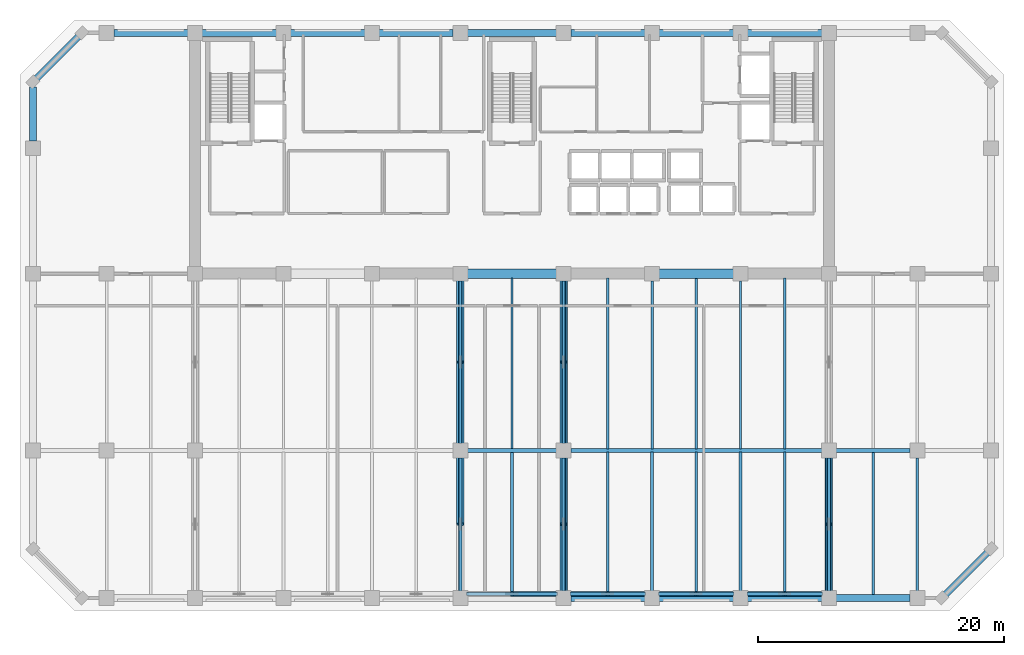
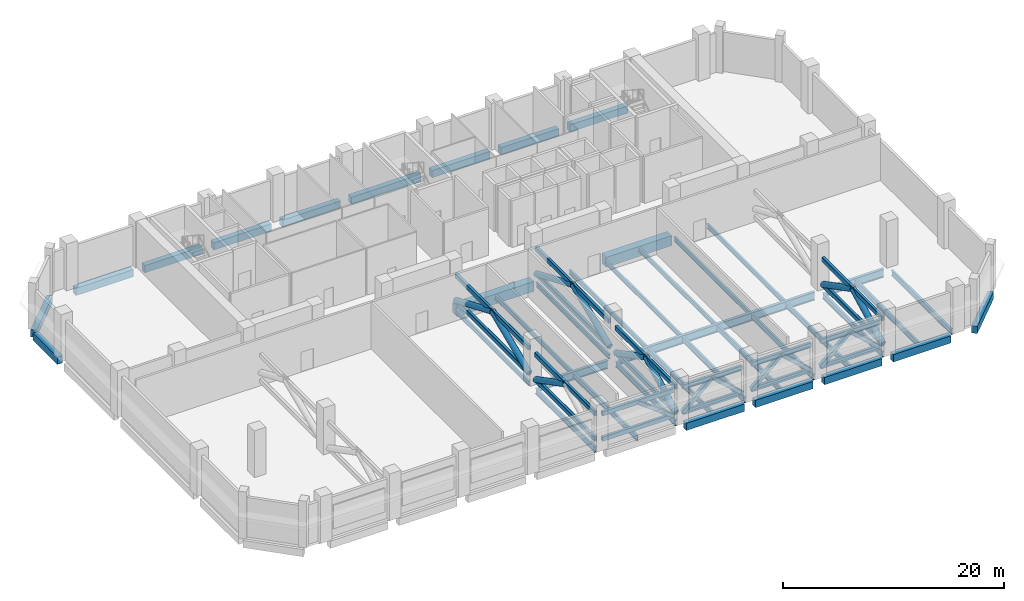
# One storey, part 2 of 13: 39 beams, 34 members.
"""IFC4 building model written with IfcOpenShell, lengths in metres."""

from ifc_helpers import new_model, si_unit, direction, frame, origin, origin_2d, place, context, subcontext, project, spatial, rectangle, hollow_rectangle, hollow_circle, i_section, extrude, material, material_profile, profile_set, type_object, element, save


model = new_model("IFC4")

# Units and contexts
model_context = context("Model", 3, precision=1e-05, world=origin(), true_north=direction((0.0, 1.0)))
body_context = subcontext(model_context, "Body", "Model", "MODEL_VIEW")
ifc_project = project(units=[si_unit("LENGTHUNIT", "METRE"), si_unit("AREAUNIT", "SQUARE_METRE"), si_unit("VOLUMEUNIT", "CUBIC_METRE"), si_unit("PLANEANGLEUNIT", "RADIAN"), si_unit("MASSUNIT", "GRAM", prefix="KILO")], contexts=[model_context])

# Site, building, storey
site_placement = place(None, origin())
site = spatial("IfcSite", under=ifc_project, at=site_placement, CompositionType="ELEMENT")
building_placement = place(site_placement, origin())
building = spatial("IfcBuilding", under=site, at=building_placement, Name="Kaelvorn Grand Hotel", CompositionType="ELEMENT")
storey_placement = place(building_placement, frame((0.0, 0.0, 184.75)))
storey = spatial("IfcBuildingStorey", under=building, at=storey_placement, Name="L45", CompositionType="ELEMENT", Elevation=184.75)

# Beams
ifc_material_1 = material(Name="Steel S460", Category="steel")
ifc_material_profile_1 = material_profile(ifc_material_1, i_section(OverallWidth=0.302001953125, OverallDepth=0.909912109375, WebThickness=0.02099609375, FlangeThickness=0.0400390625, FilletRadius=0.030029296875, at=origin_2d()), Name="HEM 900")
ifc_profile_set_1 = profile_set([ifc_material_profile_1], Name="Steel S460")
beam_type_1 = type_object("IfcBeamType", Name="BM-G-HEM900-S460", PredefinedType="BEAM", material=ifc_profile_set_1)
beam_1_placement = place(storey_placement, frame((38.385009765625, 15.0, -0.804931640625), z_axis=(1.0, 0.0, 0.0), x_axis=(0.0, 1.0, 0.0)))
element("IfcBeam", 1, at=beam_1_placement, inside=storey, type_object=beam_type_1, Name="L45 Primary Spine Steel Girder G-15 04", PredefinedType="BEAM", context=body_context, shape_type="SweptSolid", body=[
    extrude(i_section(OverallWidth=0.302001953125, OverallDepth=0.909912109375, WebThickness=0.02099609375, FlangeThickness=0.0400390625, FilletRadius=0.030029296875, at=origin_2d()), origin(), (0.0, 0.0, 1.0), 7.22998046875),
])
beam_2_placement = place(storey_placement, frame((46.784912109375, 15.0, -0.804931640625), z_axis=(1.0, 0.0, 0.0), x_axis=(0.0, 1.0, 0.0)))
element("IfcBeam", 2, at=beam_2_placement, inside=storey, type_object=beam_type_1, Name="L45 Primary Spine Steel Girder G-15 05", PredefinedType="BEAM", context=body_context, shape_type="SweptSolid", body=[
    extrude(i_section(OverallWidth=0.302001953125, OverallDepth=0.909912109375, WebThickness=0.02099609375, FlangeThickness=0.0400390625, FilletRadius=0.030029296875, at=origin_2d()), origin(), (0.0, 0.0, 1.0), 20.43017578125),
])
beam_3_placement = place(storey_placement, frame((68.385009765625, 15.0, -0.804931640625), z_axis=(1.0, 0.0, 0.0), x_axis=(0.0, 1.0, 0.0)))
element("IfcBeam", 3, at=beam_3_placement, inside=storey, type_object=beam_type_1, Name="L45 Primary Spine Steel Girder G-15 06", PredefinedType="BEAM", context=body_context, shape_type="SweptSolid", body=[
    extrude(i_section(OverallWidth=0.302001953125, OverallDepth=0.909912109375, WebThickness=0.02099609375, FlangeThickness=0.0400390625, FilletRadius=0.030029296875, at=origin_2d()), origin(), (0.0, 0.0, 1.0), 6.030029296875),
])
ifc_material_2 = material(Name="Steel S355", Category="steel")
ifc_material_profile_2 = material_profile(ifc_material_2, i_section(OverallWidth=0.199951171875, OverallDepth=0.5, WebThickness=0.01025390625, FlangeThickness=0.01611328125, FilletRadius=0.02099609375, at=origin_2d()), Name="IPE 500")
ifc_profile_set_2 = profile_set([ifc_material_profile_2], Name="Steel S355")
beam_type_2 = type_object("IfcBeamType", Name="BM-J-IPE500-S355", PredefinedType="JOIST", material=ifc_profile_set_2)
beam_4_placement = place(storey_placement, frame((37.800048828125, 15.5849609375, -0.60009765625), z_axis=(0.0, 1.0, 0.0), x_axis=(-1.0, 0.0, 0.0)))
element("IfcBeam", 4, at=beam_4_placement, inside=storey, type_object=beam_type_2, Name="L45 Composite Floor Joist JM-11", PredefinedType="JOIST", context=body_context, shape_type="SweptSolid", body=[
    extrude(i_section(OverallWidth=0.199951171875, OverallDepth=0.5, WebThickness=0.01025390625, FlangeThickness=0.01611328125, FilletRadius=0.02099609375, at=origin_2d()), origin(), (0.0, 0.0, 1.0), 13.22998046875),
])
beam_5_placement = place(storey_placement, frame((42.0, 15.135986328125, -0.60009765625), z_axis=(0.0, 1.0, 0.0), x_axis=(-1.0, 0.0, 0.0)))
element("IfcBeam", 5, at=beam_5_placement, inside=storey, type_object=beam_type_2, Name="L45 Composite Floor Joist JM-12", PredefinedType="JOIST", context=body_context, shape_type="SweptSolid", body=[
    extrude(i_section(OverallWidth=0.199951171875, OverallDepth=0.5, WebThickness=0.01025390625, FlangeThickness=0.01611328125, FilletRadius=0.02099609375, at=origin_2d()), origin(), (0.0, 0.0, 1.0), 13.924072265625),
])
beam_6_placement = place(storey_placement, frame((46.199951171875, 15.5849609375, -0.60009765625), z_axis=(0.0, 1.0, 0.0), x_axis=(-1.0, 0.0, 0.0)))
element("IfcBeam", 6, at=beam_6_placement, inside=storey, type_object=beam_type_2, Name="L45 Composite Floor Joist JM-13", PredefinedType="JOIST", context=body_context, shape_type="SweptSolid", body=[
    extrude(i_section(OverallWidth=0.199951171875, OverallDepth=0.5, WebThickness=0.01025390625, FlangeThickness=0.01611328125, FilletRadius=0.02099609375, at=origin_2d()), origin(), (0.0, 0.0, 1.0), 13.22998046875),
])
beam_7_placement = place(storey_placement, frame((49.800048828125, 15.135986328125, -0.60009765625), z_axis=(0.0, 1.0, 0.0), x_axis=(-1.0, 0.0, 0.0)))
element("IfcBeam", 7, at=beam_7_placement, inside=storey, type_object=beam_type_2, Name="L45 Composite Floor Joist JM-14", PredefinedType="JOIST", context=body_context, shape_type="SweptSolid", body=[
    extrude(i_section(OverallWidth=0.199951171875, OverallDepth=0.5, WebThickness=0.01025390625, FlangeThickness=0.01611328125, FilletRadius=0.02099609375, at=origin_2d()), origin(), (0.0, 0.0, 1.0), 13.924072265625),
])
beam_8_placement = place(storey_placement, frame((53.39990234375, 15.135986328125, -0.60009765625), z_axis=(0.0, 1.0, 0.0), x_axis=(-1.0, 0.0, 0.0)))
element("IfcBeam", 8, at=beam_8_placement, inside=storey, type_object=beam_type_2, Name="L45 Composite Floor Joist JM-15", PredefinedType="JOIST", context=body_context, shape_type="SweptSolid", body=[
    extrude(i_section(OverallWidth=0.199951171875, OverallDepth=0.5, WebThickness=0.01025390625, FlangeThickness=0.01611328125, FilletRadius=0.02099609375, at=origin_2d()), origin(), (0.0, 0.0, 1.0), 13.678955078125),
])
beam_9_placement = place(storey_placement, frame((57.0, 15.135986328125, -0.60009765625), z_axis=(0.0, 1.0, 0.0), x_axis=(-1.0, 0.0, 0.0)))
element("IfcBeam", 9, at=beam_9_placement, inside=storey, type_object=beam_type_2, Name="L45 Composite Floor Joist JM-16", PredefinedType="JOIST", context=body_context, shape_type="SweptSolid", body=[
    extrude(i_section(OverallWidth=0.199951171875, OverallDepth=0.5, WebThickness=0.01025390625, FlangeThickness=0.01611328125, FilletRadius=0.02099609375, at=origin_2d()), origin(), (0.0, 0.0, 1.0), 13.924072265625),
])
beam_10_placement = place(storey_placement, frame((60.60009765625, 15.135986328125, -0.60009765625), z_axis=(0.0, 1.0, 0.0), x_axis=(-1.0, 0.0, 0.0)))
element("IfcBeam", 10, at=beam_10_placement, inside=storey, type_object=beam_type_2, Name="L45 Composite Floor Joist JM-17", PredefinedType="JOIST", context=body_context, shape_type="SweptSolid", body=[
    extrude(i_section(OverallWidth=0.199951171875, OverallDepth=0.5, WebThickness=0.01025390625, FlangeThickness=0.01611328125, FilletRadius=0.02099609375, at=origin_2d()), origin(), (0.0, 0.0, 1.0), 13.678955078125),
])
beam_11_placement = place(storey_placement, frame((64.199951171875, 15.135986328125, -0.60009765625), z_axis=(0.0, 1.0, 0.0), x_axis=(-1.0, 0.0, 0.0)))
element("IfcBeam", 11, at=beam_11_placement, inside=storey, type_object=beam_type_2, Name="L45 Composite Floor Joist JM-18", PredefinedType="JOIST", context=body_context, shape_type="SweptSolid", body=[
    extrude(i_section(OverallWidth=0.199951171875, OverallDepth=0.5, WebThickness=0.01025390625, FlangeThickness=0.01611328125, FilletRadius=0.02099609375, at=origin_2d()), origin(), (0.0, 0.0, 1.0), 13.924072265625),
])
ifc_material_profile_3 = material_profile(ifc_material_2, i_section(OverallWidth=0.219970703125, OverallDepth=0.60009765625, WebThickness=0.011962890625, FlangeThickness=0.01904296875, FilletRadius=0.02392578125, at=origin_2d()), Name="IPE 600")
ifc_profile_set_3 = profile_set([ifc_material_profile_3], Name="Steel S355")
beam_type_3 = type_object("IfcBeamType", Name="BM-J-IPE600-S355", PredefinedType="JOIST", material=ifc_profile_set_3)
beam_12_placement = place(storey_placement, frame((37.800048828125, 3.5849609375, -0.64990234375), z_axis=(0.0, 1.0, 0.0), x_axis=(-1.0, 0.0, 0.0)))
element("IfcBeam", 12, at=beam_12_placement, inside=storey, type_object=beam_type_3, Name="L45 Composite Floor Joist JS-11", PredefinedType="JOIST", context=body_context, shape_type="SweptSolid", body=[
    extrude(i_section(OverallWidth=0.219970703125, OverallDepth=0.60009765625, WebThickness=0.011962890625, FlangeThickness=0.01904296875, FilletRadius=0.02392578125, at=origin_2d()), origin(), (0.0, 0.0, 1.0), 10.830078125),
])
beam_13_placement = place(storey_placement, frame((42.0, 3.260009765625, -0.64990234375), z_axis=(0.0, 1.0, 0.0), x_axis=(-1.0, 0.0, 0.0)))
element("IfcBeam", 13, at=beam_13_placement, inside=storey, type_object=beam_type_3, Name="L45 Composite Floor Joist JS-12", PredefinedType="JOIST", context=body_context, shape_type="SweptSolid", body=[
    extrude(i_section(OverallWidth=0.219970703125, OverallDepth=0.60009765625, WebThickness=0.011962890625, FlangeThickness=0.01904296875, FilletRadius=0.02392578125, at=origin_2d()), origin(), (0.0, 0.0, 1.0), 11.60400390625),
])
beam_14_placement = place(storey_placement, frame((46.199951171875, 3.5849609375, -0.64990234375), z_axis=(0.0, 1.0, 0.0), x_axis=(-1.0, 0.0, 0.0)))
element("IfcBeam", 14, at=beam_14_placement, inside=storey, type_object=beam_type_3, Name="L45 Composite Floor Joist JS-13", PredefinedType="JOIST", context=body_context, shape_type="SweptSolid", body=[
    extrude(i_section(OverallWidth=0.219970703125, OverallDepth=0.60009765625, WebThickness=0.011962890625, FlangeThickness=0.01904296875, FilletRadius=0.02392578125, at=origin_2d()), origin(), (0.0, 0.0, 1.0), 10.830078125),
])
beam_15_placement = place(storey_placement, frame((49.800048828125, 3.260009765625, -0.64990234375), z_axis=(0.0, 1.0, 0.0), x_axis=(-1.0, 0.0, 0.0)))
element("IfcBeam", 15, at=beam_15_placement, inside=storey, type_object=beam_type_3, Name="L45 Composite Floor Joist JS-14", PredefinedType="JOIST", context=body_context, shape_type="SweptSolid", body=[
    extrude(i_section(OverallWidth=0.219970703125, OverallDepth=0.60009765625, WebThickness=0.011962890625, FlangeThickness=0.01904296875, FilletRadius=0.02392578125, at=origin_2d()), origin(), (0.0, 0.0, 1.0), 11.60400390625),
])
beam_16_placement = place(storey_placement, frame((53.39990234375, 3.5849609375, -0.64990234375), z_axis=(0.0, 1.0, 0.0), x_axis=(-1.0, 0.0, 0.0)))
element("IfcBeam", 16, at=beam_16_placement, inside=storey, type_object=beam_type_3, Name="L45 Composite Floor Joist JS-15", PredefinedType="JOIST", context=body_context, shape_type="SweptSolid", body=[
    extrude(i_section(OverallWidth=0.219970703125, OverallDepth=0.60009765625, WebThickness=0.011962890625, FlangeThickness=0.01904296875, FilletRadius=0.02392578125, at=origin_2d()), origin(), (0.0, 0.0, 1.0), 11.279052734375),
])
beam_17_placement = place(storey_placement, frame((57.0, 3.260009765625, -0.64990234375), z_axis=(0.0, 1.0, 0.0), x_axis=(-1.0, 0.0, 0.0)))
element("IfcBeam", 17, at=beam_17_placement, inside=storey, type_object=beam_type_3, Name="L45 Composite Floor Joist JS-16", PredefinedType="JOIST", context=body_context, shape_type="SweptSolid", body=[
    extrude(i_section(OverallWidth=0.219970703125, OverallDepth=0.60009765625, WebThickness=0.011962890625, FlangeThickness=0.01904296875, FilletRadius=0.02392578125, at=origin_2d()), origin(), (0.0, 0.0, 1.0), 11.60400390625),
])
beam_18_placement = place(storey_placement, frame((60.60009765625, 3.5849609375, -0.64990234375), z_axis=(0.0, 1.0, 0.0), x_axis=(-1.0, 0.0, 0.0)))
element("IfcBeam", 18, at=beam_18_placement, inside=storey, type_object=beam_type_3, Name="L45 Composite Floor Joist JS-17", PredefinedType="JOIST", context=body_context, shape_type="SweptSolid", body=[
    extrude(i_section(OverallWidth=0.219970703125, OverallDepth=0.60009765625, WebThickness=0.011962890625, FlangeThickness=0.01904296875, FilletRadius=0.02392578125, at=origin_2d()), origin(), (0.0, 0.0, 1.0), 11.279052734375),
])
beam_19_placement = place(storey_placement, frame((64.199951171875, 3.260009765625, -0.64990234375), z_axis=(0.0, 1.0, 0.0), x_axis=(-1.0, 0.0, 0.0)))
element("IfcBeam", 19, at=beam_19_placement, inside=storey, type_object=beam_type_3, Name="L45 Composite Floor Joist JS-18", PredefinedType="JOIST", context=body_context, shape_type="SweptSolid", body=[
    extrude(i_section(OverallWidth=0.219970703125, OverallDepth=0.60009765625, WebThickness=0.011962890625, FlangeThickness=0.01904296875, FilletRadius=0.02392578125, at=origin_2d()), origin(), (0.0, 0.0, 1.0), 11.60400390625),
])
beam_20_placement = place(storey_placement, frame((67.800048828125, 3.5849609375, -0.64990234375), z_axis=(0.0, 1.0, 0.0), x_axis=(-1.0, 0.0, 0.0)))
element("IfcBeam", 20, at=beam_20_placement, inside=storey, type_object=beam_type_3, Name="L45 Composite Floor Joist JS-19", PredefinedType="JOIST", context=body_context, shape_type="SweptSolid", body=[
    extrude(i_section(OverallWidth=0.219970703125, OverallDepth=0.60009765625, WebThickness=0.011962890625, FlangeThickness=0.01904296875, FilletRadius=0.02392578125, at=origin_2d()), origin(), (0.0, 0.0, 1.0), 10.830078125),
])
beam_21_placement = place(storey_placement, frame((71.39990234375, 3.260009765625, -0.64990234375), z_axis=(0.0, 1.0, 0.0), x_axis=(-1.0, 0.0, 0.0)))
element("IfcBeam", 21, at=beam_21_placement, inside=storey, type_object=beam_type_3, Name="L45 Composite Floor Joist JS-20", PredefinedType="JOIST", context=body_context, shape_type="SweptSolid", body=[
    extrude(i_section(OverallWidth=0.219970703125, OverallDepth=0.60009765625, WebThickness=0.011962890625, FlangeThickness=0.01904296875, FilletRadius=0.02392578125, at=origin_2d()), origin(), (0.0, 0.0, 1.0), 11.60400390625),
])
beam_22_placement = place(storey_placement, frame((75.0, 3.5849609375, -0.64990234375), z_axis=(0.0, 1.0, 0.0), x_axis=(-1.0, 0.0, 0.0)))
element("IfcBeam", 22, at=beam_22_placement, inside=storey, type_object=beam_type_3, Name="L45 Composite Floor Joist JS-21", PredefinedType="JOIST", context=body_context, shape_type="SweptSolid", body=[
    extrude(i_section(OverallWidth=0.219970703125, OverallDepth=0.60009765625, WebThickness=0.011962890625, FlangeThickness=0.01904296875, FilletRadius=0.02392578125, at=origin_2d()), origin(), (0.0, 0.0, 1.0), 10.830078125),
])
ifc_material_3 = material(Name="Concrete C60/75", Category="concrete")
ifc_material_profile_4 = material_profile(ifc_material_3, rectangle(XDim=0.800048828125, YDim=1.10009765625, at=origin_2d()), Name="RC LINTEL 800x1100")
ifc_profile_set_4 = profile_set([ifc_material_profile_4], Name="Concrete C60/75")
beam_type_4 = type_object("IfcBeamType", Name="BM-LIN-800x1100-C60", PredefinedType="LINTEL", material=ifc_profile_set_4)
beam_23_placement = place(storey_placement, frame((37.97998046875, 29.39990234375, -0.89990234375), z_axis=(1.0, 0.0, 0.0), x_axis=(0.0, 1.0, 0.0)))
element("IfcBeam", 23, at=beam_23_placement, inside=storey, type_object=beam_type_4, Name="L45 Rear-Core Coupling Lintel Beam CB1-02", PredefinedType="LINTEL", context=body_context, shape_type="SweptSolid", body=[
    extrude(rectangle(XDim=0.800048828125, YDim=1.10009765625, at=origin_2d()), origin(), (0.0, 0.0, 1.0), 8.0400390625),
])
beam_24_placement = place(storey_placement, frame((53.580078125, 29.39990234375, -0.89990234375), z_axis=(1.0, 0.0, 0.0), x_axis=(0.0, 1.0, 0.0)))
element("IfcBeam", 24, at=beam_24_placement, inside=storey, type_object=beam_type_4, Name="L45 Rear-Core Coupling Lintel Beam CB1-03", PredefinedType="LINTEL", context=body_context, shape_type="SweptSolid", body=[
    extrude(rectangle(XDim=0.800048828125, YDim=1.10009765625, at=origin_2d()), origin(), (0.0, 0.0, 1.0), 6.83984375),
])
ifc_material_4 = material(Name="Concrete C50/60", Category="concrete")
ifc_material_profile_5 = material_profile(ifc_material_4, rectangle(XDim=0.550048828125, YDim=0.800048828125, at=origin_2d()), Name="RC SPANDREL 550x800")
ifc_profile_set_5 = profile_set([ifc_material_profile_5], Name="Concrete C50/60")
beam_type_5 = type_object("IfcBeamType", Name="BM-SP-550x800-C50", PredefinedType="SPANDREL", material=ifc_profile_set_5)
beam_25_placement = place(storey_placement, frame((46.784912109375, 3.0, -0.75), z_axis=(1.0, 0.0, 0.0), x_axis=(0.0, 1.0, 0.0)))
element("IfcBeam", 25, at=beam_25_placement, inside=storey, type_object=beam_type_5, Name="L45 South Perimeter Spandrel 07", PredefinedType="SPANDREL", context=body_context, shape_type="SweptSolid", body=[
    extrude(rectangle(XDim=0.550048828125, YDim=0.800048828125, at=origin_2d()), origin(), (0.0, 0.0, 1.0), 6.030029296875),
])
beam_26_placement = place(storey_placement, frame((53.985107421875, 3.0, -0.75), z_axis=(1.0, 0.0, 0.0), x_axis=(0.0, 1.0, 0.0)))
element("IfcBeam", 26, at=beam_26_placement, inside=storey, type_object=beam_type_5, Name="L45 South Perimeter Spandrel 08", PredefinedType="SPANDREL", context=body_context, shape_type="SweptSolid", body=[
    extrude(rectangle(XDim=0.550048828125, YDim=0.800048828125, at=origin_2d()), origin(), (0.0, 0.0, 1.0), 6.02978515625),
])
for number, where, z_axis, x_axis, name in (
    (27, (61.18505859375, 3.0, -0.75), (1.0, 0.0, 0.0), (0.0, 1.0, 0.0), "L45 South Perimeter Spandrel 09"),
    (28, (68.385009765625, 3.0, -0.75), (1.0, 0.0, 0.0), (0.0, 1.0, 0.0), "L45 South Perimeter Spandrel 10"),
    (29, (9.5849609375, 49.0, -0.75), (1.0, 0.0, 0.0), (0.0, 1.0, 0.0), "L45 North Perimeter Spandrel 02"),
    (30, (16.784912109375, 49.0, -0.75), (1.0, 0.0, 0.0), (0.0, 1.0, 0.0), "L45 North Perimeter Spandrel 03"),
):
    element("IfcBeam", number, at=place(storey_placement, frame(where, z_axis=z_axis, x_axis=x_axis)), inside=storey, type_object=beam_type_5, Name=name, PredefinedType="SPANDREL", context=body_context, shape_type="SweptSolid", body=[
        extrude(rectangle(XDim=0.550048828125, YDim=0.800048828125, at=origin_2d()), origin(), (0.0, 0.0, 1.0), 6.030029296875),
    ])
beam_27_placement = place(storey_placement, frame((23.985107421875, 49.0, -0.75), z_axis=(1.0, 0.0, 0.0), x_axis=(0.0, 1.0, 0.0)))
element("IfcBeam", 31, at=beam_27_placement, inside=storey, type_object=beam_type_5, Name="L45 North Perimeter Spandrel 04", PredefinedType="SPANDREL", context=body_context, shape_type="SweptSolid", body=[
    extrude(rectangle(XDim=0.550048828125, YDim=0.800048828125, at=origin_2d()), origin(), (0.0, 0.0, 1.0), 6.02978515625),
])
beam_28_placement = place(storey_placement, frame((31.18505859375, 49.0, -0.75), z_axis=(1.0, 0.0, 0.0), x_axis=(0.0, 1.0, 0.0)))
element("IfcBeam", 32, at=beam_28_placement, inside=storey, type_object=beam_type_5, Name="L45 North Perimeter Spandrel 05", PredefinedType="SPANDREL", context=body_context, shape_type="SweptSolid", body=[
    extrude(rectangle(XDim=0.550048828125, YDim=0.800048828125, at=origin_2d()), origin(), (0.0, 0.0, 1.0), 6.030029296875),
])
beam_29_placement = place(storey_placement, frame((38.385009765625, 49.0, -0.75), z_axis=(1.0, 0.0, 0.0), x_axis=(0.0, 1.0, 0.0)))
element("IfcBeam", 33, at=beam_29_placement, inside=storey, type_object=beam_type_5, Name="L45 North Perimeter Spandrel 06", PredefinedType="SPANDREL", context=body_context, shape_type="SweptSolid", body=[
    extrude(rectangle(XDim=0.550048828125, YDim=0.800048828125, at=origin_2d()), origin(), (0.0, 0.0, 1.0), 7.22998046875),
])
beam_30_placement = place(storey_placement, frame((46.784912109375, 49.0, -0.75), z_axis=(1.0, 0.0, 0.0), x_axis=(0.0, 1.0, 0.0)))
element("IfcBeam", 34, at=beam_30_placement, inside=storey, type_object=beam_type_5, Name="L45 North Perimeter Spandrel 07", PredefinedType="SPANDREL", context=body_context, shape_type="SweptSolid", body=[
    extrude(rectangle(XDim=0.550048828125, YDim=0.800048828125, at=origin_2d()), origin(), (0.0, 0.0, 1.0), 6.030029296875),
])
beam_31_placement = place(storey_placement, frame((53.985107421875, 49.0, -0.75), z_axis=(1.0, 0.0, 0.0), x_axis=(0.0, 1.0, 0.0)))
element("IfcBeam", 35, at=beam_31_placement, inside=storey, type_object=beam_type_5, Name="L45 North Perimeter Spandrel 08", PredefinedType="SPANDREL", context=body_context, shape_type="SweptSolid", body=[
    extrude(rectangle(XDim=0.550048828125, YDim=0.800048828125, at=origin_2d()), origin(), (0.0, 0.0, 1.0), 6.02978515625),
])
beam_32_placement = place(storey_placement, frame((61.18505859375, 49.0, -0.75), z_axis=(1.0, 0.0, 0.0), x_axis=(0.0, 1.0, 0.0)))
element("IfcBeam", 36, at=beam_32_placement, inside=storey, type_object=beam_type_5, Name="L45 North Perimeter Spandrel 09", PredefinedType="SPANDREL", context=body_context, shape_type="SweptSolid", body=[
    extrude(rectangle(XDim=0.550048828125, YDim=0.800048828125, at=origin_2d()), origin(), (0.0, 0.0, 1.0), 6.030029296875),
])
beam_33_placement = place(storey_placement, frame((3.0, 40.18505859375, -0.75), z_axis=(0.0, 1.0, 0.0), x_axis=(-1.0, 0.0, 0.0)))
element("IfcBeam", 37, at=beam_33_placement, inside=storey, type_object=beam_type_5, Name="L45 West Perimeter Spandrel 04", PredefinedType="SPANDREL", context=body_context, shape_type="SweptSolid", body=[
    extrude(rectangle(XDim=0.550048828125, YDim=0.800048828125, at=origin_2d()), origin(), (0.0, 0.0, 1.0), 4.409912109375),
])
for number, where, z_axis, x_axis, name in (
    (38, (77.0, 3.0, -0.75), (0.707106781187, 0.707106781187, 0.0), (-0.707106781187, 0.707106781187, 0.0), "L45 Chamfer Spandrel Beam 1"),
    (39, (7.0, 49.0, -0.75), (-0.707106781187, -0.707106781187, 0.0), (0.707106781187, -0.707106781187, 0.0), "L45 Chamfer Spandrel Beam 3"),
):
    element("IfcBeam", number, at=place(storey_placement, frame(where, z_axis=z_axis, x_axis=x_axis)), inside=storey, type_object=beam_type_5, Name=name, PredefinedType="SPANDREL", context=body_context, shape_type="SweptSolid", body=[
        extrude(rectangle(XDim=0.550048828125, YDim=0.800048828125, at=origin_2d()), origin(), (0.0, 0.0, 1.0), 5.65673828125),
    ])

# Members
ifc_material_profile_6 = material_profile(ifc_material_1, hollow_rectangle(XDim=0.39990234375, YDim=0.39990234375, WallThickness=0.02001953125, InnerFilletRadius=0.02001953125, OuterFilletRadius=0.0400390625, at=origin_2d()), Name="SHS 400x400x20.0")
ifc_profile_set_6 = profile_set([ifc_material_profile_6], Name="Steel S460")
member_type_1 = type_object("IfcMemberType", Name="MB-BT-BRACE-SHS400", PredefinedType="BRACE", material=ifc_profile_set_6)
member_1_placement = place(storey_placement, frame((42.0, 3.340087890625, 3.35009765625), z_axis=(0.79622419649, 0.0, -0.605001676795), x_axis=(0.0, 1.0, 0.0)))
element("IfcMember", 40, at=member_1_placement, inside=storey, type_object=member_type_1, Name="L45 Belt Truss Brace R4", PredefinedType="BRACE", context=body_context, shape_type="SweptSolid", body=[
    extrude(hollow_rectangle(XDim=0.39990234375, YDim=0.39990234375, WallThickness=0.02001953125, InnerFilletRadius=0.02001953125, OuterFilletRadius=0.0400390625, at=origin_2d()), origin(), (0.0, 0.0, 1.0), 4.628173828125),
])
for number, where, z_axis, x_axis, name in (
    (41, (46.715087890625, 3.340087890625, 0.550048828125), (0.740472811778, 0.0, 0.672086315154), (0.0, 1.0, 0.0), "L45 Belt Truss Brace L5"),
    (42, (49.800048828125, 3.340087890625, 3.35009765625), (0.740472811778, 0.0, -0.672086315154), (0.0, 1.0, 0.0), "L45 Belt Truss Brace R5"),
    (43, (53.9150390625, 3.340087890625, 0.550048828125), (0.740472811778, 0.0, 0.672086315154), (0.0, 1.0, 0.0), "L45 Belt Truss Brace L6"),
    (44, (57.0, 3.340087890625, 3.35009765625), (0.740472811778, 0.0, -0.672086315154), (0.0, 1.0, 0.0), "L45 Belt Truss Brace R6"),
    (45, (61.114990234375, 3.340087890625, 0.550048828125), (0.740472811778, 0.0, 0.672086315154), (0.0, 1.0, 0.0), "L45 Belt Truss Brace L7"),
    (46, (64.199951171875, 3.340087890625, 3.35009765625), (0.740472811778, 0.0, -0.672086315154), (0.0, 1.0, 0.0), "L45 Belt Truss Brace R7"),
):
    element("IfcMember", number, at=place(storey_placement, frame(where, z_axis=z_axis, x_axis=x_axis)), inside=storey, type_object=member_type_1, Name=name, PredefinedType="BRACE", context=body_context, shape_type="SweptSolid", body=[
        extrude(hollow_rectangle(XDim=0.39990234375, YDim=0.39990234375, WallThickness=0.02001953125, InnerFilletRadius=0.02001953125, OuterFilletRadius=0.0400390625, at=origin_2d()), origin(), (0.0, 0.0, 1.0), 4.166259765625),
    ])
ifc_material_profile_7 = material_profile(ifc_material_1, hollow_circle(Radius=0.304931640625, WallThickness=0.030029296875, at=origin_2d()), Name="CHS 610.0x30.0")
ifc_profile_set_7 = profile_set([ifc_material_profile_7], Name="Steel S460")
member_type_2 = type_object("IfcMemberType", Name="MB-OR-BRACE-CHS610", PredefinedType="BRACE", material=ifc_profile_set_7)
member_2_placement = place(storey_placement, frame((37.800048828125, 9.0, 3.35009765625), z_axis=(0.0, 0.888273426352, -0.459315055313), x_axis=(-1.0, 0.0, 0.0)))
element("IfcMember", 47, at=member_2_placement, inside=storey, type_object=member_type_2, Name="L45 Outrigger Brace Diagonal B2.1", PredefinedType="BRACE", context=body_context, shape_type="SweptSolid", body=[
    extrude(hollow_circle(Radius=0.304931640625, WallThickness=0.030029296875, at=origin_2d()), origin(), (0.0, 0.0, 1.0), 6.09619140625),
])
for number, where, z_axis, x_axis, name in (
    (48, (37.800048828125, 15.5849609375, 0.550048828125), (0.0, 0.9208973418, 0.389805189633), (-1.0, 0.0, 0.0), "L45 Outrigger Brace Diagonal A2.2"),
    (49, (37.800048828125, 22.199951171875, 3.35009765625), (0.0, 0.9208973418, -0.389805189633), (-1.0, 0.0, 0.0), "L45 Outrigger Brace Diagonal B2.2"),
):
    element("IfcMember", number, at=place(storey_placement, frame(where, z_axis=z_axis, x_axis=x_axis)), inside=storey, type_object=member_type_2, Name=name, PredefinedType="BRACE", context=body_context, shape_type="SweptSolid", body=[
        extrude(hollow_circle(Radius=0.304931640625, WallThickness=0.030029296875, at=origin_2d()), origin(), (0.0, 0.0, 1.0), 7.18310546875),
    ])
for number, where, z_axis, x_axis, name in (
    (50, (46.199951171875, 3.5849609375, 0.550048828125), (0.0, 0.888273426352, 0.459315055313), (-1.0, 0.0, 0.0), "L45 Outrigger Brace Diagonal A3.1"),
    (51, (46.199951171875, 9.0, 3.35009765625), (0.0, 0.888273426352, -0.459315055313), (-1.0, 0.0, 0.0), "L45 Outrigger Brace Diagonal B3.1"),
):
    element("IfcMember", number, at=place(storey_placement, frame(where, z_axis=z_axis, x_axis=x_axis)), inside=storey, type_object=member_type_2, Name=name, PredefinedType="BRACE", context=body_context, shape_type="SweptSolid", body=[
        extrude(hollow_circle(Radius=0.304931640625, WallThickness=0.030029296875, at=origin_2d()), origin(), (0.0, 0.0, 1.0), 6.09619140625),
    ])
for number, where, z_axis, x_axis, name in (
    (52, (46.199951171875, 15.5849609375, 0.550048828125), (0.0, 0.9208973418, 0.389805189633), (-1.0, 0.0, 0.0), "L45 Outrigger Brace Diagonal A3.2"),
    (53, (46.199951171875, 22.199951171875, 3.35009765625), (0.0, 0.9208973418, -0.389805189633), (-1.0, 0.0, 0.0), "L45 Outrigger Brace Diagonal B3.2"),
):
    element("IfcMember", number, at=place(storey_placement, frame(where, z_axis=z_axis, x_axis=x_axis)), inside=storey, type_object=member_type_2, Name=name, PredefinedType="BRACE", context=body_context, shape_type="SweptSolid", body=[
        extrude(hollow_circle(Radius=0.304931640625, WallThickness=0.030029296875, at=origin_2d()), origin(), (0.0, 0.0, 1.0), 7.18310546875),
    ])
for number, where, z_axis, x_axis, name in (
    (54, (67.800048828125, 3.5849609375, 0.550048828125), (0.0, 0.888273426352, 0.459315055313), (-1.0, 0.0, 0.0), "L45 Outrigger Brace Diagonal A4.1"),
    (55, (67.800048828125, 9.0, 3.35009765625), (0.0, 0.888273426352, -0.459315055313), (-1.0, 0.0, 0.0), "L45 Outrigger Brace Diagonal B4.1"),
):
    element("IfcMember", number, at=place(storey_placement, frame(where, z_axis=z_axis, x_axis=x_axis)), inside=storey, type_object=member_type_2, Name=name, PredefinedType="BRACE", context=body_context, shape_type="SweptSolid", body=[
        extrude(hollow_circle(Radius=0.304931640625, WallThickness=0.030029296875, at=origin_2d()), origin(), (0.0, 0.0, 1.0), 6.09619140625),
    ])
ifc_material_profile_8 = material_profile(ifc_material_1, hollow_rectangle(XDim=0.300048828125, YDim=0.5, WallThickness=0.02001953125, InnerFilletRadius=0.02001953125, OuterFilletRadius=0.0400390625, at=origin_2d()), Name="RHS 500x300x20.0")
ifc_profile_set_8 = profile_set([ifc_material_profile_8], Name="Steel S460")
member_type_3 = type_object("IfcMemberType", Name="MB-OR-CHORD-RHS500", PredefinedType="CHORD", material=ifc_profile_set_8)
for number, where, z_axis, x_axis, name in (
    (56, (37.800048828125, 3.5849609375, 0.550048828125), (0.0, 1.0, 0.0), (-1.0, 0.0, 0.0), "L45 Outrigger Bottom Chord OC-2.1"),
    (57, (37.800048828125, 3.5849609375, 3.35009765625), (0.0, 1.0, 0.0), (-1.0, 0.0, 0.0), "L45 Outrigger Top Chord OC-2.1"),
):
    element("IfcMember", number, at=place(storey_placement, frame(where, z_axis=z_axis, x_axis=x_axis)), inside=storey, type_object=member_type_3, Name=name, PredefinedType="CHORD", context=body_context, shape_type="SweptSolid", body=[
        extrude(hollow_rectangle(XDim=0.300048828125, YDim=0.5, WallThickness=0.02001953125, InnerFilletRadius=0.02001953125, OuterFilletRadius=0.0400390625, at=origin_2d()), origin(), (0.0, 0.0, 1.0), 10.830078125),
    ])
for number, where, z_axis, x_axis, name in (
    (58, (37.800048828125, 15.5849609375, 0.550048828125), (0.0, 1.0, 0.0), (-1.0, 0.0, 0.0), "L45 Outrigger Bottom Chord OC-2.2"),
    (59, (37.800048828125, 15.5849609375, 3.35009765625), (0.0, 1.0, 0.0), (-1.0, 0.0, 0.0), "L45 Outrigger Top Chord OC-2.2"),
):
    element("IfcMember", number, at=place(storey_placement, frame(where, z_axis=z_axis, x_axis=x_axis)), inside=storey, type_object=member_type_3, Name=name, PredefinedType="CHORD", context=body_context, shape_type="SweptSolid", body=[
        extrude(hollow_rectangle(XDim=0.300048828125, YDim=0.5, WallThickness=0.02001953125, InnerFilletRadius=0.02001953125, OuterFilletRadius=0.0400390625, at=origin_2d()), origin(), (0.0, 0.0, 1.0), 13.22998046875),
    ])
for number, where, z_axis, x_axis, name in (
    (60, (46.199951171875, 3.5849609375, 0.550048828125), (0.0, 1.0, 0.0), (-1.0, 0.0, 0.0), "L45 Outrigger Bottom Chord OC-3.1"),
    (61, (46.199951171875, 3.5849609375, 3.35009765625), (0.0, 1.0, 0.0), (-1.0, 0.0, 0.0), "L45 Outrigger Top Chord OC-3.1"),
):
    element("IfcMember", number, at=place(storey_placement, frame(where, z_axis=z_axis, x_axis=x_axis)), inside=storey, type_object=member_type_3, Name=name, PredefinedType="CHORD", context=body_context, shape_type="SweptSolid", body=[
        extrude(hollow_rectangle(XDim=0.300048828125, YDim=0.5, WallThickness=0.02001953125, InnerFilletRadius=0.02001953125, OuterFilletRadius=0.0400390625, at=origin_2d()), origin(), (0.0, 0.0, 1.0), 10.830078125),
    ])
for number, where, z_axis, x_axis, name in (
    (62, (46.199951171875, 15.5849609375, 0.550048828125), (0.0, 1.0, 0.0), (-1.0, 0.0, 0.0), "L45 Outrigger Bottom Chord OC-3.2"),
    (63, (46.199951171875, 15.5849609375, 3.35009765625), (0.0, 1.0, 0.0), (-1.0, 0.0, 0.0), "L45 Outrigger Top Chord OC-3.2"),
):
    element("IfcMember", number, at=place(storey_placement, frame(where, z_axis=z_axis, x_axis=x_axis)), inside=storey, type_object=member_type_3, Name=name, PredefinedType="CHORD", context=body_context, shape_type="SweptSolid", body=[
        extrude(hollow_rectangle(XDim=0.300048828125, YDim=0.5, WallThickness=0.02001953125, InnerFilletRadius=0.02001953125, OuterFilletRadius=0.0400390625, at=origin_2d()), origin(), (0.0, 0.0, 1.0), 13.22998046875),
    ])
for number, where, z_axis, x_axis, name in (
    (64, (67.800048828125, 3.5849609375, 0.550048828125), (0.0, 1.0, 0.0), (-1.0, 0.0, 0.0), "L45 Outrigger Bottom Chord OC-4.1"),
    (65, (67.800048828125, 3.5849609375, 3.35009765625), (0.0, 1.0, 0.0), (-1.0, 0.0, 0.0), "L45 Outrigger Top Chord OC-4.1"),
):
    element("IfcMember", number, at=place(storey_placement, frame(where, z_axis=z_axis, x_axis=x_axis)), inside=storey, type_object=member_type_3, Name=name, PredefinedType="CHORD", context=body_context, shape_type="SweptSolid", body=[
        extrude(hollow_rectangle(XDim=0.300048828125, YDim=0.5, WallThickness=0.02001953125, InnerFilletRadius=0.02001953125, OuterFilletRadius=0.0400390625, at=origin_2d()), origin(), (0.0, 0.0, 1.0), 10.830078125),
    ])
for number, where, z_axis, x_axis, name in (
    (66, (38.31494140625, 3.340087890625, 0.550048828125), (1.0, 0.0, 0.0), (0.0, 1.0, 0.0), "L45 Belt Truss Bottom Chord 4"),
    (67, (38.31494140625, 3.340087890625, 3.35009765625), (1.0, 0.0, 0.0), (0.0, 1.0, 0.0), "L45 Belt Truss Top Chord 4"),
):
    element("IfcMember", number, at=place(storey_placement, frame(where, z_axis=z_axis, x_axis=x_axis)), inside=storey, type_object=member_type_3, Name=name, PredefinedType="CHORD", context=body_context, shape_type="SweptSolid", body=[
        extrude(hollow_rectangle(XDim=0.300048828125, YDim=0.5, WallThickness=0.02001953125, InnerFilletRadius=0.02001953125, OuterFilletRadius=0.0400390625, at=origin_2d()), origin(), (0.0, 0.0, 1.0), 7.3701171875),
    ])
for number, where, z_axis, x_axis, name in (
    (68, (46.715087890625, 3.340087890625, 0.550048828125), (1.0, 0.0, 0.0), (0.0, 1.0, 0.0), "L45 Belt Truss Bottom Chord 5"),
    (69, (46.715087890625, 3.340087890625, 3.35009765625), (1.0, 0.0, 0.0), (0.0, 1.0, 0.0), "L45 Belt Truss Top Chord 5"),
    (70, (53.9150390625, 3.340087890625, 0.550048828125), (1.0, 0.0, 0.0), (0.0, 1.0, 0.0), "L45 Belt Truss Bottom Chord 6"),
    (71, (53.9150390625, 3.340087890625, 3.35009765625), (1.0, 0.0, 0.0), (0.0, 1.0, 0.0), "L45 Belt Truss Top Chord 6"),
    (72, (61.114990234375, 3.340087890625, 0.550048828125), (1.0, 0.0, 0.0), (0.0, 1.0, 0.0), "L45 Belt Truss Bottom Chord 7"),
    (73, (61.114990234375, 3.340087890625, 3.35009765625), (1.0, 0.0, 0.0), (0.0, 1.0, 0.0), "L45 Belt Truss Top Chord 7"),
):
    element("IfcMember", number, at=place(storey_placement, frame(where, z_axis=z_axis, x_axis=x_axis)), inside=storey, type_object=member_type_3, Name=name, PredefinedType="CHORD", context=body_context, shape_type="SweptSolid", body=[
        extrude(hollow_rectangle(XDim=0.300048828125, YDim=0.5, WallThickness=0.02001953125, InnerFilletRadius=0.02001953125, OuterFilletRadius=0.0400390625, at=origin_2d()), origin(), (0.0, 0.0, 1.0), 6.169921875),
    ])

save(model, "model.ifc")
